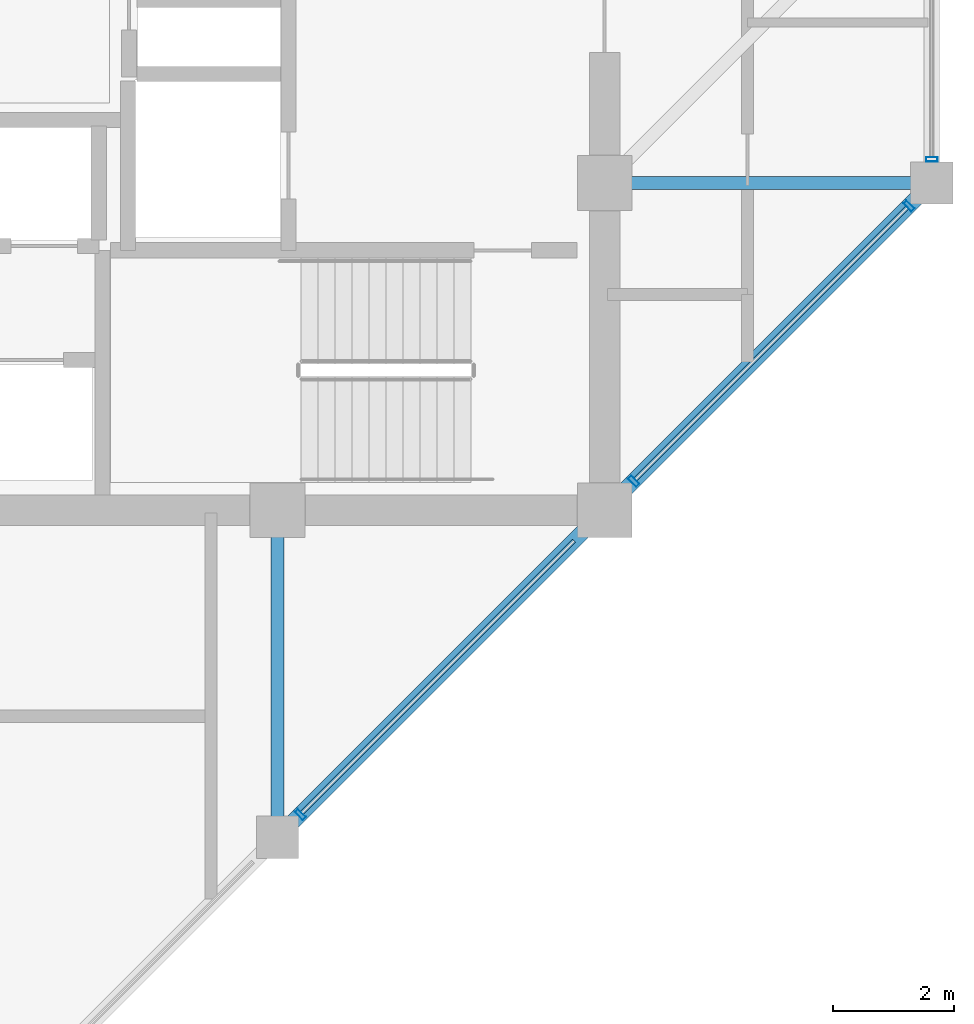
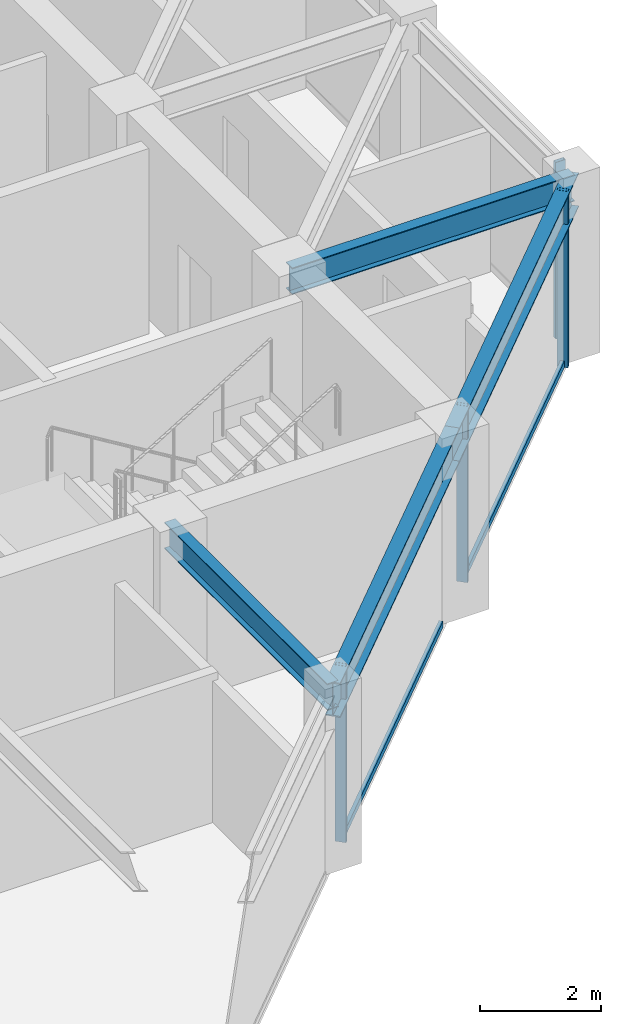
# One storey, part 12 of 31: 6 members, 4 beams, 2 elements without a shape of their own.
"""IFC4 building model written with IfcOpenShell, lengths in metres."""

from ifc_helpers import new_model, si_unit, direction, frame, origin, origin_2d, place, context, subcontext, project, spatial, hollow_rectangle, i_section, extrude, material, layer, layer_set, material_profile, profile_set, type_object, element, aggregate, save


model = new_model("IFC4")

# Units and contexts
model_context = context("Model", 3, precision=1e-05, world=origin(), true_north=direction((0.0, 1.0)))
body_context = subcontext(model_context, "Body", "Model", "MODEL_VIEW")
ifc_project = project(units=[si_unit("LENGTHUNIT", "METRE"), si_unit("AREAUNIT", "SQUARE_METRE"), si_unit("VOLUMEUNIT", "CUBIC_METRE"), si_unit("PLANEANGLEUNIT", "RADIAN"), si_unit("MASSUNIT", "GRAM", prefix="KILO")], contexts=[model_context])

# Site, building, storey
site_placement = place(None, origin())
site = spatial("IfcSite", under=ifc_project, at=site_placement, CompositionType="ELEMENT")
building_placement = place(site_placement, origin())
building = spatial("IfcBuilding", under=site, at=building_placement, Name="Surkhivell Harbour Commons", CompositionType="ELEMENT")
storey_placement = place(building_placement, frame((0.0, 0.0, 288.75)))
storey = spatial("IfcBuildingStorey", under=building, at=storey_placement, Name="L75", CompositionType="ELEMENT", Elevation=288.75)

# Beams
ifc_material_1 = material(Name="Steel S355", Category="steel")
ifc_material_profile_1 = material_profile(ifc_material_1, i_section(OverallWidth=0.2099609375, OverallDepth=0.537109375, WebThickness=0.0107421875, FlangeThickness=0.017333984375, at=origin_2d()), Name="UB533x210x101")
ifc_profile_set_1 = profile_set([ifc_material_profile_1], Name="Steel S355")
beam_type_1 = type_object("IfcBeamType", Name="BM-GRD-533B", PredefinedType="BEAM", material=ifc_profile_set_1)
for number, where, z_axis, x_axis, name in (
    (1, (5.39990234375, -16.199951171875, 3.301513671875), (0.0, 1.0, 0.0), (-1.0, 0.0, 0.0), "L75 Floor Girder (5.4,-16.2)"),
    (2, (10.800048828125, -5.39990234375, 3.301513671875), (1.0, 0.0, 0.0), (0.0, 1.0, 0.0), "L75 Floor Girder (10.8,-5.4)"),
):
    element("IfcBeam", number, at=place(storey_placement, frame(where, z_axis=z_axis, x_axis=x_axis)), inside=storey, type_object=beam_type_1, Name=name, PredefinedType="BEAM", context=body_context, shape_type="SweptSolid", body=[
        extrude(i_section(OverallWidth=0.2099609375, OverallDepth=0.537109375, WebThickness=0.0107421875, FlangeThickness=0.017333984375, at=origin_2d()), origin(), (0.0, 0.0, 1.0), 5.39990234375),
    ])
ifc_material_profile_2 = material_profile(ifc_material_1, i_section(OverallWidth=0.256103515625, OverallDepth=0.693115234375, WebThickness=0.014404296875, FlangeThickness=0.023681640625, at=origin_2d()), Name="UB686x254x170")
ifc_profile_set_2 = profile_set([ifc_material_profile_2], Name="Steel S355")
beam_type_2 = type_object("IfcBeamType", Name="BM-SPN-686", PredefinedType="SPANDREL", material=ifc_profile_set_2)
for number, where, z_axis, x_axis, name in (
    (3, (5.39990234375, -16.199951171875, 3.223388671875), (0.707122765516, 0.707090796496, 0.0), (-0.707090796496, 0.707122765516, 0.0), "L75 Tube Spandrel (5.4,-16.2)"),
    (4, (10.800048828125, -10.800048828125, 3.223388671875), (0.707090796496, 0.707122765516, 0.0), (-0.707122765516, 0.707090796496, 0.0), "L75 Tube Spandrel (10.8,-10.8)"),
):
    element("IfcBeam", number, at=place(storey_placement, frame(where, z_axis=z_axis, x_axis=x_axis)), inside=storey, type_object=beam_type_2, Name=name, PredefinedType="SPANDREL", context=body_context, shape_type="SweptSolid", body=[
        extrude(i_section(OverallWidth=0.256103515625, OverallDepth=0.693115234375, WebThickness=0.014404296875, FlangeThickness=0.023681640625, at=origin_2d()), origin(), (0.0, 0.0, 1.0), 7.63671875),
    ])

# Curtain wall, members
ifc_material_2 = material(Name="Anodised pale-metal aluminium and insulated glazing", Category="aluminium")
ifc_layer = layer(ifc_material_2, 0.175048828125)
ifc_layer_set = layer_set([ifc_layer], Name="Anodised pale-metal aluminium and insulated glazing")
curtain_wall_type = type_object("IfcCurtainWallType", Name="CW-SYS-Z4", PredefinedType="NOTDEFINED", material=ifc_layer_set)
curtain_wall_1_placement = place(storey_placement, origin())
curtain_wall_1 = element("IfcCurtainWall", 5, at=curtain_wall_1_placement, inside=storey, type_object=curtain_wall_type, Name="L75 Curtain Wall CW-L75-E01", PredefinedType="NOTDEFINED")
ifc_material_3 = material(Name="Anodised pale-metal aluminium alloy 6063-T6", Category="aluminium")
ifc_material_profile_3 = material_profile(ifc_material_3, hollow_rectangle(XDim=0.074951171875, YDim=0.18994140625, WallThickness=0.00390625, at=origin_2d()), Name="ALU-MULL-75x190")
ifc_profile_set_3 = profile_set([ifc_material_profile_3], Name="Anodised pale-metal aluminium alloy 6063-T6")
member_type_1 = type_object("IfcMemberType", Name="CWM-190", PredefinedType="MULLION", material=ifc_profile_set_3)
member_1_placement = place(storey_placement, frame((5.778076171875, -15.82177734375, 0.0), z_axis=(0.0, 0.0, 1.0), x_axis=(0.707106781187, 0.707106781187, 0.0)))
member_1 = element("IfcMember", 6, at=member_1_placement, type_object=member_type_1, Name="CW-Z4 mullion 2", PredefinedType="MULLION", context=body_context, shape_type="SweptSolid", body=[
    extrude(hollow_rectangle(XDim=0.074951171875, YDim=0.18994140625, WallThickness=0.00390625, at=origin_2d()), origin(), (0.0, 0.0, 1.0), 3.570068359375),
])
member_2_placement = place(storey_placement, frame((11.278076171875, -10.32177734375, 0.0), z_axis=(0.0, 0.0, 1.0), x_axis=(0.707106781187, 0.707106781187, 0.0)))
member_2 = element("IfcMember", 7, at=member_2_placement, type_object=member_type_1, Name="CW-Z4 mullion 3", PredefinedType="MULLION", context=body_context, shape_type="SweptSolid", body=[
    extrude(hollow_rectangle(XDim=0.074951171875, YDim=0.18994140625, WallThickness=0.00390625, at=origin_2d()), origin(), (0.0, 0.0, 1.0), 3.570068359375),
])
member_3_placement = place(storey_placement, frame((15.82177734375, -5.778076171875, 0.0), z_axis=(0.0, 0.0, 1.0), x_axis=(0.707106781187, 0.707106781187, 0.0)))
member_3 = element("IfcMember", 8, at=member_3_placement, type_object=member_type_1, Name="CW-Z4 mullion 4", PredefinedType="MULLION", context=body_context, shape_type="SweptSolid", body=[
    extrude(hollow_rectangle(XDim=0.074951171875, YDim=0.18994140625, WallThickness=0.00390625, at=origin_2d()), origin(), (0.0, 0.0, 1.0), 3.570068359375),
])

# Curtain wall, member
curtain_wall_2_placement = place(storey_placement, origin())
curtain_wall_2 = element("IfcCurtainWall", 9, at=curtain_wall_2_placement, inside=storey, type_object=curtain_wall_type, Name="L75 Curtain Wall CW-L75-E02", PredefinedType="NOTDEFINED")
member_4_placement = place(storey_placement, frame((16.199951171875, -5.010498046875, 0.0), z_axis=(0.0, 0.0, 1.0), x_axis=(0.0, 1.0, 0.0)))
member_4 = element("IfcMember", 10, at=member_4_placement, type_object=member_type_1, Name="CW-Z4 mullion 1", PredefinedType="MULLION", context=body_context, shape_type="SweptSolid", body=[
    extrude(hollow_rectangle(XDim=0.074951171875, YDim=0.18994140625, WallThickness=0.00390625, at=origin_2d()), origin(), (0.0, 0.0, 1.0), 3.570068359375),
])
aggregate(curtain_wall_2, [member_4])

# Member
ifc_material_4 = material(Name="Champagne anodised aluminium alloy 6063-T6", Category="aluminium")
ifc_material_profile_4 = material_profile(ifc_material_4, hollow_rectangle(XDim=0.070068359375, YDim=0.1298828125, WallThickness=0.00341796875, at=origin_2d()), Name="ALU-TRAN-70x130")
ifc_profile_set_4 = profile_set([ifc_material_profile_4], Name="Champagne anodised aluminium alloy 6063-T6")
member_type_2 = type_object("IfcMemberType", Name="CWT-130", PredefinedType="USERDEFINED", material=ifc_profile_set_4)
member_5_placement = place(storey_placement, frame((5.8046875, -15.79541015625, 0.06494140625), z_axis=(0.707106781187, 0.707106781187, 0.0), x_axis=(-0.707106781187, 0.707106781187, 0.0)))
member_5 = element("IfcMember", 11, at=member_5_placement, type_object=member_type_2, Name="CW-Z4 transom 2.1", ObjectType="TRANSOM", PredefinedType="USERDEFINED", context=body_context, shape_type="SweptSolid", body=[
    extrude(hollow_rectangle(XDim=0.070068359375, YDim=0.1298828125, WallThickness=0.00341796875, at=origin_2d()), origin(), (0.0, 0.0, 1.0), 6.350830078125),
])

member_6_placement = place(storey_placement, frame((11.3046875, -10.29541015625, 0.06494140625), z_axis=(0.707106781187, 0.707106781187, 0.0), x_axis=(-0.707106781187, 0.707106781187, 0.0)))
member_6 = element("IfcMember", 12, at=member_6_placement, type_object=member_type_2, Name="CW-Z4 transom 3.1", ObjectType="TRANSOM", PredefinedType="USERDEFINED", context=body_context, shape_type="SweptSolid", body=[
    extrude(hollow_rectangle(XDim=0.070068359375, YDim=0.1298828125, WallThickness=0.00341796875, at=origin_2d()), origin(), (0.0, 0.0, 1.0), 6.350830078125),
])

aggregate(curtain_wall_1, [member_1, member_5, member_2, member_3, member_6])

save(model, "model.ifc")
